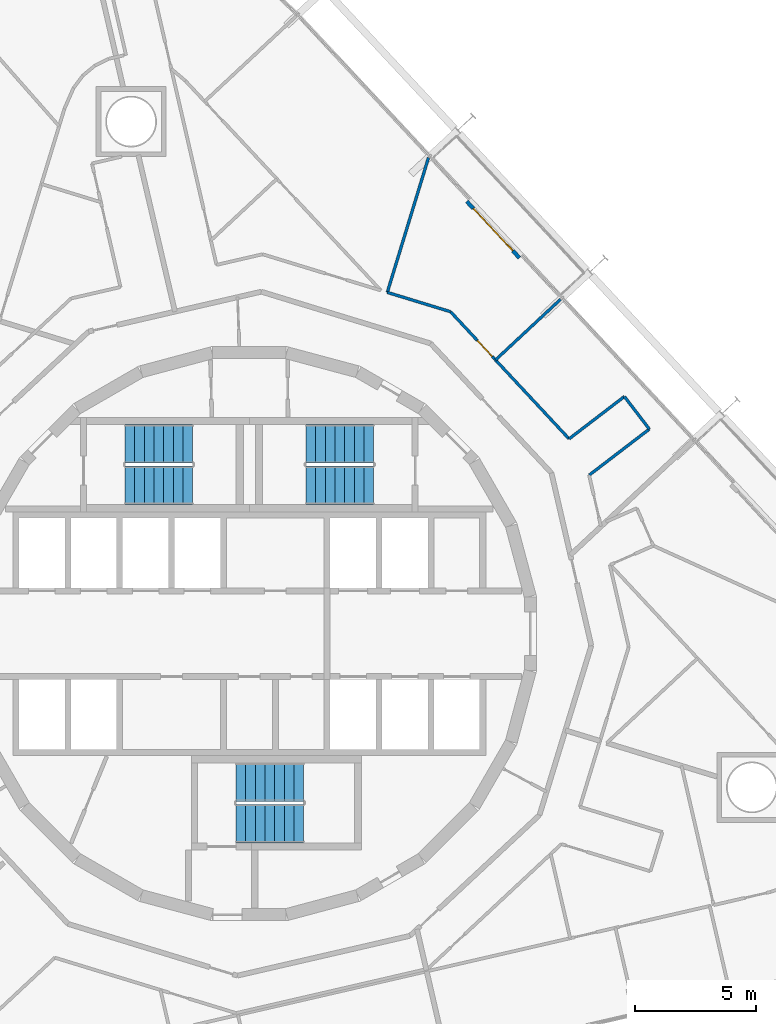
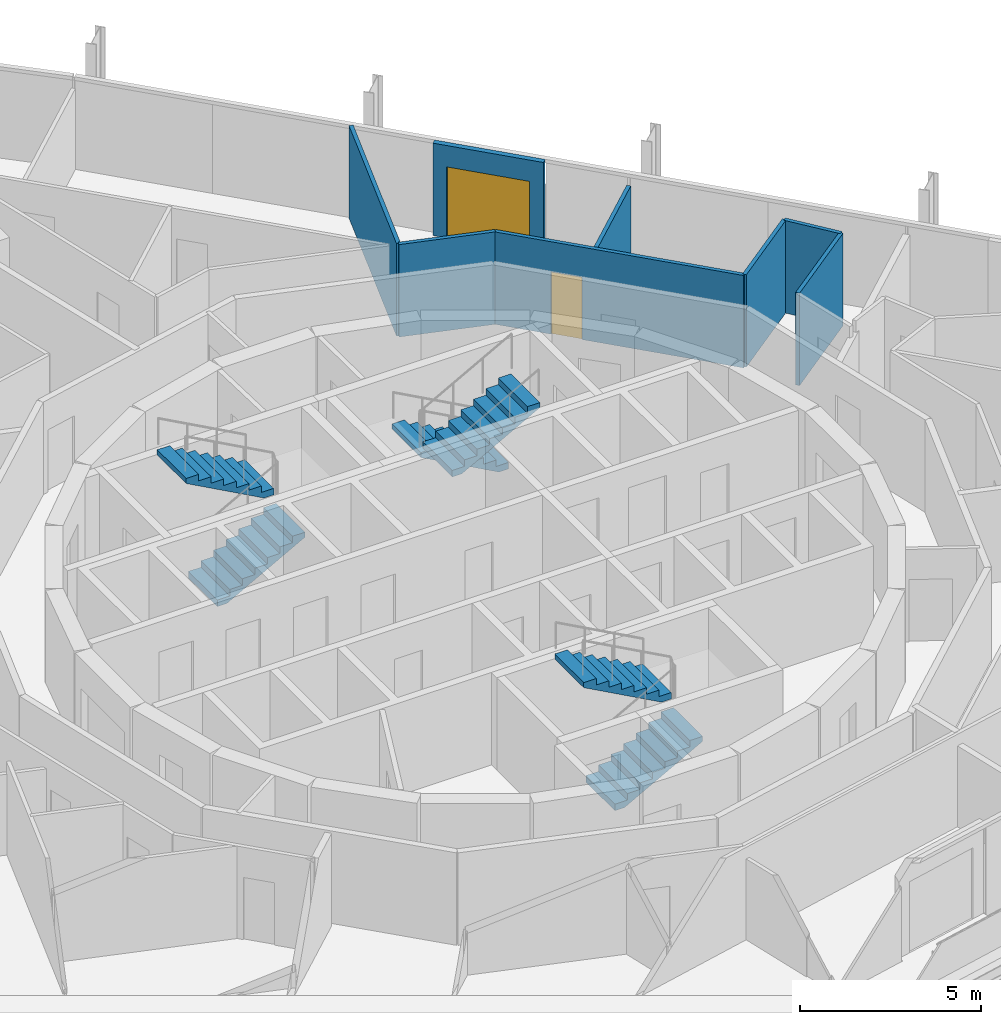
# One storey, part 17 of 18: 8 walls, 6 stair flights, 2 doors, 2 openings, 3 elements without a shape of their own.
"""IFC4 building model written with IfcOpenShell, lengths in metres."""

import ifcopenshell
import ifcopenshell.guid

model = None  # the IFC model being written
_history = None  # IfcOwnerHistory: only IFC2X3 demands one
_inside = {}  # id of a spatial element -> (the spatial element, [elements in it])
_under = {}  # id of a project, library or spatial element -> (it, [spatial elements below it])
_declared = {}  # id of a project -> (the project, [libraries it declares])
_typed = {}  # id of a type object -> (the type object, [elements of that type])
_made_of = {}  # id of a material, layer set ... -> (it, [elements and type objects made of it])


def new_model(schema):
    """Start an empty IFC model of exactly this schema.

    Asked for "IFC4X3", IfcOpenShell would pick the latest addendum, in which some entities
    have other attributes; the version numbers below select the first issue.
    IFC2X3 requires an IfcOwnerHistory on every rooted entity: one is made here for all.
    """
    global model, _history
    if schema == "IFC4X3":
        model = ifcopenshell.file(schema_version=(4, 3, 0, 0))
    else:
        model = ifcopenshell.file(schema=schema)
    _inside.clear()
    _under.clear()
    _declared.clear()
    _typed.clear()
    _made_of.clear()
    _history = None
    if model.schema == "IFC2X3":
        org = make("IfcOrganization", Name="unknown")
        user = make(
            "IfcPersonAndOrganization",
            ThePerson=make("IfcPerson", FamilyName="unknown"),
            TheOrganization=org,
        )
        app = make(
            "IfcApplication",
            ApplicationDeveloper=org,
            Version="unknown",
            ApplicationFullName="unknown",
            ApplicationIdentifier="unknown",
        )
        _history = make(
            "IfcOwnerHistory",
            OwningUser=user,
            OwningApplication=app,
            ChangeAction="ADDED",
            CreationDate=0,
        )
    return model


def make(cls, **values):
    """One entity of the class cls with the attributes given. An attribute that is None is left unset."""
    return model.create_entity(
        cls, **{name: value for name, value in values.items() if value is not None}
    )


def rooted(cls, **values):
    """An entity with a GlobalId (a new one), such as an element, a storey or a relation."""
    return make(cls, GlobalId=ifcopenshell.guid.new(), OwnerHistory=_history, **values)


def si_unit(unit_type, name, prefix=None):
    """IfcSIUnit, for example si_unit("LENGTHUNIT", "METRE", prefix="MILLI")."""
    return make("IfcSIUnit", UnitType=unit_type, Prefix=prefix, Name=name)


def assignment(units):
    """IfcUnitAssignment: the units of a project."""
    return None if units is None else make("IfcUnitAssignment", Units=units)


def point(xyz):
    """IfcCartesianPoint."""
    return None if xyz is None else make("IfcCartesianPoint", Coordinates=xyz)


def direction(xyz):
    """IfcDirection."""
    return None if xyz is None else make("IfcDirection", DirectionRatios=xyz)


def frame(location, z_axis=None, x_axis=None):
    """IfcAxis2Placement3D, a coordinate frame: its origin and axes. An axis left out is left unset."""
    return make(
        "IfcAxis2Placement3D",
        Location=point(location),
        Axis=direction(z_axis),
        RefDirection=direction(x_axis),
    )


def frame_2d(location, x_axis=None):
    """IfcAxis2Placement2D, a coordinate frame in the plane: its origin and x axis."""
    return make(
        "IfcAxis2Placement2D", Location=point(location), RefDirection=direction(x_axis)
    )


def origin():
    """The frame at (0, 0, 0) with its axes left unset."""
    return frame((0.0, 0.0, 0.0))


def place(relative_to, where):
    """IfcLocalPlacement: puts the frame where relative to a parent placement (None: the world)."""
    return make(
        "IfcLocalPlacement", PlacementRelTo=relative_to, RelativePlacement=where
    )


def context(
    kind, dimensions, precision=None, world=None, true_north=None, identifier=None
):
    """IfcGeometricRepresentationContext, for example the 3D "Model" context."""
    return make(
        "IfcGeometricRepresentationContext",
        ContextIdentifier=identifier,
        ContextType=kind,
        CoordinateSpaceDimension=dimensions,
        Precision=precision,
        WorldCoordinateSystem=world,
        TrueNorth=true_north,
    )


def subcontext(parent, identifier, kind, view, scale=None):
    """IfcGeometricRepresentationSubContext, for example "Body" below "Model"."""
    return make(
        "IfcGeometricRepresentationSubContext",
        ContextIdentifier=identifier,
        ContextType=kind,
        ParentContext=parent,
        TargetScale=scale,
        TargetView=view,
    )


def project(units=None, contexts=None):
    """IfcProject with its units and contexts."""
    return rooted(
        "IfcProject",
        Name="project",
        RepresentationContexts=contexts,
        UnitsInContext=assignment(units),
    )


def spatial(cls, under=None, at=None, **own):
    """A site, building, storey or space (cls), placed at a placement, below another one or the project."""
    s = rooted(cls, ObjectPlacement=at, **own)
    if under is not None:
        _under.setdefault(under.id(), (under, []))[1].append(s)
    return s


def polyline(points):
    """IfcPolyline through the points."""
    return make("IfcPolyline", Points=[point(p) for p in points])


def profile(cls, at=None, kind="AREA", **sizes):
    """A parametric profile (cls). Its sizes go by their IFC names, for example OverallWidth=200.0."""
    return make(cls, ProfileType=kind, Position=at, **sizes)


def rectangle(**sizes):
    """IfcRectangleProfileDef."""
    return profile("IfcRectangleProfileDef", **sizes)


def outline(outer, holes=None, kind="AREA"):
    """IfcArbitraryClosedProfileDef: a profile drawn as a closed curve; with holes, ...WithVoids."""
    if holes is None:
        return make("IfcArbitraryClosedProfileDef", ProfileType=kind, OuterCurve=outer)
    return make(
        "IfcArbitraryProfileDefWithVoids",
        ProfileType=kind,
        OuterCurve=outer,
        InnerCurves=holes,
    )


def extrude(swept, where, along, depth):
    """IfcExtrudedAreaSolid: the profile swept, set in the frame where, extruded along a direction by depth."""
    return make(
        "IfcExtrudedAreaSolid",
        SweptArea=swept,
        Position=where,
        ExtrudedDirection=direction(along),
        Depth=depth,
    )


def shape(context_of_items, identifier, shape_type, items):
    """IfcShapeRepresentation: the items that make up one representation, for example the "Body"."""
    return make(
        "IfcShapeRepresentation",
        ContextOfItems=context_of_items,
        RepresentationIdentifier=identifier,
        RepresentationType=shape_type,
        Items=items,
    )


def material(Name=None, Category=None):
    """IfcMaterial."""
    return make("IfcMaterial", Name=Name, Category=Category)


def layer(
    of_material, thickness, ventilated=None, Name=None, Category=None, Priority=None
):
    """IfcMaterialLayer: one layer of a wall or slab, of a material (None: an air gap)."""
    return make(
        "IfcMaterialLayer",
        Material=of_material,
        LayerThickness=thickness,
        IsVentilated=ventilated,
        Name=Name,
        Category=Category,
        Priority=Priority,
    )


def layer_set(layers, Name=None):
    """IfcMaterialLayerSet."""
    return make("IfcMaterialLayerSet", MaterialLayers=layers, LayerSetName=Name)


def made_of(thing, what):
    """Note that an element or type object is made of a material, layer set ...; save() writes the relation."""
    if what is not None:
        _made_of.setdefault(what.id(), (what, []))[1].append(thing)
    return thing


def type_object(cls, material=None, **own):
    """A type object (cls), such as IfcWallType, which elements share."""
    return made_of(rooted(cls, **own), material)


def element(
    cls,
    number,
    at=None,
    inside=None,
    cuts=None,
    type_object=None,
    material=None,
    context=None,
    identifier="Body",
    shape_type=None,
    held_by="IfcProductDefinitionShape",
    body=None,
    shapes=None,
    **own,
):
    """One element of the class cls, such as IfcWall. Its Tag is "e" and its number.

    at: its placement. inside: the storey or other place that contains it. cuts: it is an
    opening in that element (IfcRelVoidsElement). A single representation is given by context,
    identifier, shape_type and body (its items); several are given by shapes. held_by: the class
    of the entity that holds the representations. save() writes the other relations.
    """
    e = rooted(cls, Tag="e%d" % number, ObjectPlacement=at, **own)
    if body is not None:
        shapes = [shape(context, identifier, shape_type, body)]
    if shapes is not None:
        e.Representation = make(held_by, Representations=shapes)
    if inside is not None:
        _inside.setdefault(inside.id(), (inside, []))[1].append(e)
    if cuts is not None:
        rooted(
            "IfcRelVoidsElement", RelatingBuildingElement=cuts, RelatedOpeningElement=e
        )
    if type_object is not None:
        _typed.setdefault(type_object.id(), (type_object, []))[1].append(e)
    return made_of(e, material)


def fill(opening, filler):
    """IfcRelFillsElement: the door or window that sits in an opening."""
    return rooted(
        "IfcRelFillsElement",
        RelatingOpeningElement=opening,
        RelatedBuildingElement=filler,
    )


def aggregate(whole, parts):
    """IfcRelAggregates: a whole, such as a stair, and the parts it consists of."""
    return rooted("IfcRelAggregates", RelatingObject=whole, RelatedObjects=parts)


def save(model, path):
    """Write the relations noted so far, then the file.

    IfcRelAggregates (storeys below a building ...), IfcRelContainedInSpatialStructure (elements
    in a storey), IfcRelDefinesByType, IfcRelAssociatesMaterial and IfcRelDeclares: one each for
    every whole, place, type object, material and project.
    """
    for whole, parts in _under.values():
        aggregate(whole, parts)
    for where, things in _inside.values():
        rooted(
            "IfcRelContainedInSpatialStructure",
            RelatedElements=things,
            RelatingStructure=where,
        )
    for kind, things in _typed.values():
        rooted("IfcRelDefinesByType", RelatedObjects=things, RelatingType=kind)
    for what, things in _made_of.values():
        rooted("IfcRelAssociatesMaterial", RelatedObjects=things, RelatingMaterial=what)
    for by, libraries in _declared.values():
        rooted("IfcRelDeclares", RelatingContext=by, RelatedDefinitions=libraries)
    model.write(path)


model = new_model("IFC4")

# Units and contexts
model_context = context("Model", 3, precision=1e-05, world=origin(), true_north=direction((0.0, 1.0)))
body_context = subcontext(model_context, "Body", "Model", "MODEL_VIEW")
ifc_project = project(units=[si_unit("LENGTHUNIT", "METRE"), si_unit("AREAUNIT", "SQUARE_METRE"), si_unit("VOLUMEUNIT", "CUBIC_METRE"), si_unit("PLANEANGLEUNIT", "RADIAN"), si_unit("MASSUNIT", "GRAM", prefix="KILO")], contexts=[model_context])

# Site, building, storey
site_placement = place(None, origin())
site = spatial("IfcSite", under=ifc_project, at=site_placement, CompositionType="ELEMENT")
building_placement = place(site_placement, origin())
building = spatial("IfcBuilding", under=site, at=building_placement, Name="Spindle Arch Residences", CompositionType="ELEMENT")
storey_placement = place(building_placement, frame((0.0, 0.0, 130.89990234375)))
storey = spatial("IfcBuildingStorey", under=building, at=storey_placement, Name="L32", CompositionType="ELEMENT", Elevation=130.89990234375)

# Walls
ifc_material_1 = material(Name="Plasterboard on steel studs", Category="steel")
ifc_layer_1 = layer(ifc_material_1, 0.1201171875)
ifc_layer_set_1 = layer_set([ifc_layer_1], Name="Flat partition 120")
wall_type_1 = type_object("IfcWallType", Name="Flat partition 120", PredefinedType="PARTITIONING", material=ifc_layer_set_1)
wall_1_placement = place(storey_placement, frame((14.083251953125, 6.56884765625, 0.0), z_axis=(0.0, 0.0, 1.0), x_axis=(0.794099847012, 0.607787325449, 0.0)))
element("IfcWall", 1, at=wall_1_placement, inside=storey, type_object=wall_type_1, Name="Flat partition R3B1-W028", PredefinedType="PARTITIONING", context=body_context, shape_type="SweptSolid", body=[
    extrude(rectangle(XDim=3.1435546875, YDim=0.1201171875, at=frame_2d((1.57177734375, 0.0))), origin(), (0.0, 0.0, 1.0), 3.1201171875),
])
wall_2_placement = place(storey_placement, frame((16.57958984375, 8.4794921875, 0.0), z_axis=(0.0, 0.0, 1.0), x_axis=(-0.607897770777, 0.794015302298, 0.0)))
element("IfcWall", 2, at=wall_2_placement, inside=storey, type_object=wall_type_1, Name="Flat partition R3B1-W029", PredefinedType="PARTITIONING", context=body_context, shape_type="SweptSolid", body=[
    extrude(rectangle(XDim=1.699951171875, YDim=0.1201171875, at=frame_2d((0.85009765625, 0.0))), origin(), (0.0, 0.0, 1.0), 3.1201171875),
])
wall_3_placement = place(storey_placement, frame((15.546142578125, 9.829345703125, 0.0), z_axis=(0.0, 0.0, 1.0), x_axis=(-0.794096114645, -0.607792201912, 0.0)))
element("IfcWall", 3, at=wall_3_placement, inside=storey, type_object=wall_type_1, Name="Flat partition R3B1-W030", PredefinedType="PARTITIONING", context=body_context, shape_type="SweptSolid", body=[
    extrude(rectangle(XDim=2.886962890625, YDim=0.1201171875, at=frame_2d((1.443359375, 0.0))), origin(), (0.0, 0.0, 1.0), 3.1201171875),
])

# Wall, opening, door
wall_4_placement = place(storey_placement, frame((13.253662109375, 8.07470703125, 0.0), z_axis=(0.0, 0.0, 1.0), x_axis=(-0.681995901471, 0.731355994285, 0.0)))
wall_4 = element("IfcWall", 4, at=wall_4_placement, inside=storey, type_object=wall_type_1, Name="Flat partition R3B1-W031", PredefinedType="PARTITIONING", context=body_context, shape_type="SweptSolid", body=[
    extrude(rectangle(XDim=7.20654296875, YDim=0.1201171875, at=frame_2d((3.603271484375, 0.0))), origin(), (0.0, 0.0, 1.0), 3.1201171875),
])
opening_1_placement = place(wall_4_placement, frame((4.671875, 0.0, 0.0)))
opening_1 = element("IfcOpeningElement", 5, at=opening_1_placement, cuts=wall_4, Name="Opening R3B1-ID02", PredefinedType="OPENING", context=body_context, shape_type="SweptSolid", body=[
    extrude(rectangle(XDim=0.89990234375, YDim=2.10009765625, at=frame_2d((0.449951171875, 1.050048828125))), frame((0.0, 0.070068359375, 0.0), z_axis=(0.0, -1.0, 0.0), x_axis=(1.0, 0.0, 0.0)), (0.0, 0.0, 1.0), 0.14013671875),
])
ifc_material_2 = material(Name="Timber door set", Category="wood")
door_type_1 = type_object("IfcDoorType", Name="Room door 900x2100", OperationType="NOTDEFINED", PredefinedType="DOOR", material=ifc_material_2)
door_1_placement = place(opening_1_placement, origin())
door_1 = element("IfcDoor", 6, at=door_1_placement, inside=storey, type_object=door_type_1, Name="Room door R3B1-ID02", OperationType="SINGLE_SWING_RIGHT", OverallHeight=2.10009765625, OverallWidth=0.89990234375, PredefinedType="DOOR", context=body_context, shape_type="SweptSolid", body=[
    extrude(rectangle(XDim=0.89990234375, YDim=2.10009765625, at=frame_2d((0.449951171875, 1.050048828125))), frame((0.0, 0.02490234375, 0.0), z_axis=(0.0, -1.0, 0.0), x_axis=(1.0, 0.0, 0.0)), (0.0, 0.0, 1.0), 0.050048828125),
])
fill(opening_1, door_1)

# Walls
wall_5_placement = place(storey_placement, frame((8.3388671875, 13.34521484375, 0.0), z_axis=(0.0, 0.0, 1.0), x_axis=(-0.956324586315, 0.292306834695, 0.0)))
element("IfcWall", 7, at=wall_5_placement, inside=storey, type_object=wall_type_1, Name="Flat partition R3B1-W032", PredefinedType="PARTITIONING", context=body_context, shape_type="SweptSolid", body=[
    extrude(rectangle(XDim=2.739501953125, YDim=0.1201171875, at=frame_2d((1.36962890625, 0.0))), origin(), (0.0, 0.0, 1.0), 3.1201171875),
])
wall_6_placement = place(storey_placement, frame((7.427490234375, 19.734375, 0.0), z_axis=(0.0, 0.0, 1.0), x_axis=(-0.292365007065, -0.956306803617, 0.0)))
element("IfcWall", 8, at=wall_6_placement, inside=storey, type_object=wall_type_1, Name="Flat partition R3B1-W041", PredefinedType="PARTITIONING", context=body_context, shape_type="SweptSolid", body=[
    extrude(rectangle(XDim=5.84375, YDim=0.1201171875, at=frame_2d((2.921875, 0.0))), origin(), (0.0, 0.0, 1.0), 3.1201171875),
])
ifc_material_3 = material(Name="Plasterboard on steel studs", Category="steel")
ifc_layer_2 = layer(ifc_material_3, 0.1201171875)
ifc_layer_set_2 = layer_set([ifc_layer_2], Name="Flat partition 120 under beam 2730")
wall_type_2 = type_object("IfcWallType", Name="Flat partition 120 under beam 2730", PredefinedType="PARTITIONING", material=ifc_layer_set_2)
wall_7_placement = place(storey_placement, frame((12.9033203125, 13.8623046875, 0.0), z_axis=(0.0, 0.0, 1.0), x_axis=(-0.731380732155, -0.68196937221, 0.0)))
element("IfcWall", 9, at=wall_7_placement, inside=storey, type_object=wall_type_2, Name="Flat partition R3B1-W040", PredefinedType="PARTITIONING", context=body_context, shape_type="SweptSolid", body=[
    extrude(rectangle(XDim=3.69091796875, YDim=0.1201171875, at=frame_2d((1.845458984375, 0.0))), origin(), (0.0, 0.0, 1.0), 2.72998046875),
])

# Wall, opening, door
ifc_material_4 = material(Name="Non-combustible mineral wool insulated aluminium faced external wall (K0)", Category="aluminium")
ifc_layer_3 = layer(ifc_material_4, 0.159912109375)
ifc_layer_set_3 = layer_set([ifc_layer_3], Name="Insulated external wall panel 160")
wall_type_3 = type_object("IfcWallType", Name="Insulated external wall panel 160", PredefinedType="STANDARD", material=ifc_layer_set_3)
wall_8_placement = place(storey_placement, frame((11.197998046875, 15.57373046875, 0.0), z_axis=(0.0, 0.0, 1.0), x_axis=(-0.681994703002, 0.731357111866, 0.0)))
wall_8 = element("IfcWall", 10, at=wall_8_placement, inside=storey, type_object=wall_type_3, Name="External wall L32 bay 8", PredefinedType="STANDARD", context=body_context, shape_type="SweptSolid", body=[
    extrude(rectangle(XDim=3.199951171875, YDim=0.159912109375, at=frame_2d((1.60009765625, 0.0))), origin(), (0.0, 0.0, 1.0), 3.1201171875),
])
opening_2_placement = place(wall_8_placement, frame((0.39990234375, 0.0, 0.0)))
opening_2 = element("IfcOpeningElement", 11, at=opening_2_placement, cuts=wall_8, Name="Opening BD08", PredefinedType="OPENING", context=body_context, shape_type="SweptSolid", body=[
    extrude(rectangle(XDim=2.39990234375, YDim=2.39990234375, at=frame_2d((1.199951171875, 1.199951171875))), frame((0.0, 0.08984375, 0.0), z_axis=(0.0, -1.0, 0.0), x_axis=(1.0, 0.0, 0.0)), (0.0, 0.0, 1.0), 0.179931640625),
])
ifc_material_5 = material(Name="Bronze aluminium frame, tinted double glazing", Category="aluminium")
door_type_2 = type_object("IfcDoorType", Name="Sliding glazed balcony door 2400x2400", OperationType="DOUBLE_DOOR_SLIDING", PredefinedType="DOOR", material=ifc_material_5)
door_2_placement = place(opening_2_placement, origin())
door_2 = element("IfcDoor", 12, at=door_2_placement, inside=storey, type_object=door_type_2, Name="Balcony door BD08", OperationType="DOUBLE_DOOR_SLIDING", OverallHeight=2.39990234375, OverallWidth=2.39990234375, PredefinedType="DOOR", context=body_context, shape_type="SweptSolid", body=[
    extrude(rectangle(XDim=2.39990234375, YDim=2.39990234375, at=frame_2d((1.199951171875, 1.199951171875))), frame((0.0, 0.02490234375, 0.0), z_axis=(0.0, -1.0, 0.0), x_axis=(1.0, 0.0, 0.0)), (0.0, 0.0, 1.0), 0.050048828125),
])
fill(opening_2, door_2)

# Stair, stair flights
ifc_material_6 = material(Name="Concrete C50/60", Category="concrete")
stair_type = type_object("IfcStairType", Name="Exit stair 16 risers", PredefinedType="HALF_TURN_STAIR", material=ifc_material_6)
stair_1_placement = place(storey_placement, origin())
stair_1 = element("IfcStair", 13, at=stair_1_placement, inside=storey, type_object=stair_type, Name="L32 Exit stair ST1", PredefinedType="HALF_TURN_STAIR")
ifc_material_7 = material(Name="Concrete C50/60", Category="concrete")
stair_flight_type = type_object("IfcStairFlightType", Name="Exit stair flight", PredefinedType="STRAIGHT", material=ifc_material_7)
stair_flight_1_placement = place(storey_placement, frame((5.14990234375, 7.8701171875, 0.0), z_axis=(0.0, 0.0, 1.0), x_axis=(-1.0, 0.0, 0.0)))
stair_flight_1 = element("IfcStairFlight", 14, at=stair_flight_1_placement, type_object=stair_flight_type, Name="ST1 flight 1", NumberOfRisers=8, NumberOfTreads=7, PredefinedType="STRAIGHT", RiserHeight=0.21875, TreadLength=0.4, context=body_context, shape_type="SweptSolid", body=[
    extrude(outline(polyline([(0.0, 0.0), (0.0, 0.21875), (0.39990234375, 0.21875), (0.39990234375, 0.4375), (0.800048828125, 0.4375), (0.800048828125, 0.65625), (1.199951171875, 0.65625), (1.199951171875, 0.875), (1.60009765625, 0.875), (1.60009765625, 1.09375), (2.0, 1.09375), (2.0, 1.3125), (2.39990234375, 1.3125), (2.39990234375, 1.53125), (2.800048828125, 1.53125), (2.800048828125, 1.75), (2.800048828125, 1.3603515625), (0.3125, 0.0), (0.0, 0.0)])), frame((0.0, 0.800048828125, 0.0), z_axis=(0.0, -1.0, 0.0), x_axis=(1.0, 0.0, 0.0)), (0.0, 0.0, 1.0), 1.60009765625),
])
stair_flight_2_placement = place(storey_placement, frame((2.35009765625, 6.14990234375, 1.75), z_axis=(0.0, 0.0, 1.0), x_axis=(1.0, 0.0, 0.0)))
stair_flight_2 = element("IfcStairFlight", 15, at=stair_flight_2_placement, type_object=stair_flight_type, Name="ST1 flight 2", NumberOfRisers=8, NumberOfTreads=7, PredefinedType="STRAIGHT", RiserHeight=0.21875, TreadLength=0.4, context=body_context, shape_type="SweptSolid", body=[
    extrude(outline(polyline([(0.0, 0.0), (0.0, 0.21875), (0.39990234375, 0.21875), (0.39990234375, 0.4375), (0.800048828125, 0.4375), (0.800048828125, 0.65625), (1.199951171875, 0.65625), (1.199951171875, 0.875), (1.60009765625, 0.875), (1.60009765625, 1.09375), (2.0, 1.09375), (2.0, 1.3125), (2.39990234375, 1.3125), (2.39990234375, 1.53125), (2.800048828125, 1.53125), (2.800048828125, 1.75), (2.800048828125, 1.3603515625), (0.3125, 0.0), (0.0, 0.0)])), frame((0.0, 0.800048828125, 0.0), z_axis=(0.0, -1.0, 0.0), x_axis=(1.0, 0.0, 0.0)), (0.0, 0.0, 1.0), 1.60009765625),
])
aggregate(stair_1, [stair_flight_1, stair_flight_2])

stair_2_placement = place(storey_placement, origin())
stair_2 = element("IfcStair", 16, at=stair_2_placement, inside=storey, type_object=stair_type, Name="L32 Exit stair ST2", PredefinedType="HALF_TURN_STAIR")
stair_flight_3_placement = place(storey_placement, frame((-5.14990234375, 6.14990234375, 0.0), z_axis=(0.0, 0.0, 1.0), x_axis=(1.0, 0.0, 0.0)))
stair_flight_3 = element("IfcStairFlight", 17, at=stair_flight_3_placement, type_object=stair_flight_type, Name="ST2 flight 1", NumberOfRisers=8, NumberOfTreads=7, PredefinedType="STRAIGHT", RiserHeight=0.21875, TreadLength=0.4, context=body_context, shape_type="SweptSolid", body=[
    extrude(outline(polyline([(0.0, 0.0), (0.0, 0.21875), (0.39990234375, 0.21875), (0.39990234375, 0.4375), (0.800048828125, 0.4375), (0.800048828125, 0.65625), (1.199951171875, 0.65625), (1.199951171875, 0.875), (1.60009765625, 0.875), (1.60009765625, 1.09375), (2.0, 1.09375), (2.0, 1.3125), (2.39990234375, 1.3125), (2.39990234375, 1.53125), (2.800048828125, 1.53125), (2.800048828125, 1.75), (2.800048828125, 1.3603515625), (0.3125, 0.0), (0.0, 0.0)])), frame((0.0, 0.800048828125, 0.0), z_axis=(0.0, -1.0, 0.0), x_axis=(1.0, 0.0, 0.0)), (0.0, 0.0, 1.0), 1.60009765625),
])
stair_flight_4_placement = place(storey_placement, frame((-2.35009765625, 7.8701171875, 1.75), z_axis=(0.0, 0.0, 1.0), x_axis=(-1.0, 0.0, 0.0)))
stair_flight_4 = element("IfcStairFlight", 18, at=stair_flight_4_placement, type_object=stair_flight_type, Name="ST2 flight 2", NumberOfRisers=8, NumberOfTreads=7, PredefinedType="STRAIGHT", RiserHeight=0.21875, TreadLength=0.4, context=body_context, shape_type="SweptSolid", body=[
    extrude(outline(polyline([(0.0, 0.0), (0.0, 0.21875), (0.39990234375, 0.21875), (0.39990234375, 0.4375), (0.800048828125, 0.4375), (0.800048828125, 0.65625), (1.199951171875, 0.65625), (1.199951171875, 0.875), (1.60009765625, 0.875), (1.60009765625, 1.09375), (2.0, 1.09375), (2.0, 1.3125), (2.39990234375, 1.3125), (2.39990234375, 1.53125), (2.800048828125, 1.53125), (2.800048828125, 1.75), (2.800048828125, 1.3603515625), (0.3125, 0.0), (0.0, 0.0)])), frame((0.0, 0.800048828125, 0.0), z_axis=(0.0, -1.0, 0.0), x_axis=(1.0, 0.0, 0.0)), (0.0, 0.0, 1.0), 1.60009765625),
])
aggregate(stair_2, [stair_flight_3, stair_flight_4])

stair_3_placement = place(storey_placement, origin())
stair_3 = element("IfcStair", 19, at=stair_3_placement, inside=storey, type_object=stair_type, Name="L32 Exit stair ST3", PredefinedType="HALF_TURN_STAIR")
stair_flight_5_placement = place(storey_placement, frame((-0.550048828125, -7.8701171875, 0.0), z_axis=(0.0, 0.0, 1.0), x_axis=(1.0, 0.0, 0.0)))
stair_flight_5 = element("IfcStairFlight", 20, at=stair_flight_5_placement, type_object=stair_flight_type, Name="ST3 flight 1", NumberOfRisers=8, NumberOfTreads=7, PredefinedType="STRAIGHT", RiserHeight=0.21875, TreadLength=0.4, context=body_context, shape_type="SweptSolid", body=[
    extrude(outline(polyline([(0.0, 0.0), (0.0, 0.21875), (0.39990234375, 0.21875), (0.39990234375, 0.4375), (0.800048828125, 0.4375), (0.800048828125, 0.65625), (1.199951171875, 0.65625), (1.199951171875, 0.875), (1.60009765625, 0.875), (1.60009765625, 1.09375), (2.0, 1.09375), (2.0, 1.3125), (2.39990234375, 1.3125), (2.39990234375, 1.53125), (2.800048828125, 1.53125), (2.800048828125, 1.75), (2.800048828125, 1.3603515625), (0.3125, 0.0), (0.0, 0.0)])), frame((0.0, 0.800048828125, 0.0), z_axis=(0.0, -1.0, 0.0), x_axis=(1.0, 0.0, 0.0)), (0.0, 0.0, 1.0), 1.60009765625),
])
stair_flight_6_placement = place(storey_placement, frame((2.25, -6.14990234375, 1.75), z_axis=(0.0, 0.0, 1.0), x_axis=(-1.0, 0.0, 0.0)))
stair_flight_6 = element("IfcStairFlight", 21, at=stair_flight_6_placement, type_object=stair_flight_type, Name="ST3 flight 2", NumberOfRisers=8, NumberOfTreads=7, PredefinedType="STRAIGHT", RiserHeight=0.21875, TreadLength=0.4, context=body_context, shape_type="SweptSolid", body=[
    extrude(outline(polyline([(0.0, 0.0), (0.0, 0.21875), (0.39990234375, 0.21875), (0.39990234375, 0.4375), (0.800048828125, 0.4375), (0.800048828125, 0.65625), (1.199951171875, 0.65625), (1.199951171875, 0.875), (1.60009765625, 0.875), (1.60009765625, 1.09375), (2.0, 1.09375), (2.0, 1.3125), (2.39990234375, 1.3125), (2.39990234375, 1.53125), (2.800048828125, 1.53125), (2.800048828125, 1.75), (2.800048828125, 1.3603515625), (0.3125, 0.0), (0.0, 0.0)])), frame((0.0, 0.800048828125, 0.0), z_axis=(0.0, -1.0, 0.0), x_axis=(1.0, 0.0, 0.0)), (0.0, 0.0, 1.0), 1.60009765625),
])
aggregate(stair_3, [stair_flight_5, stair_flight_6])

save(model, "model.ifc")
